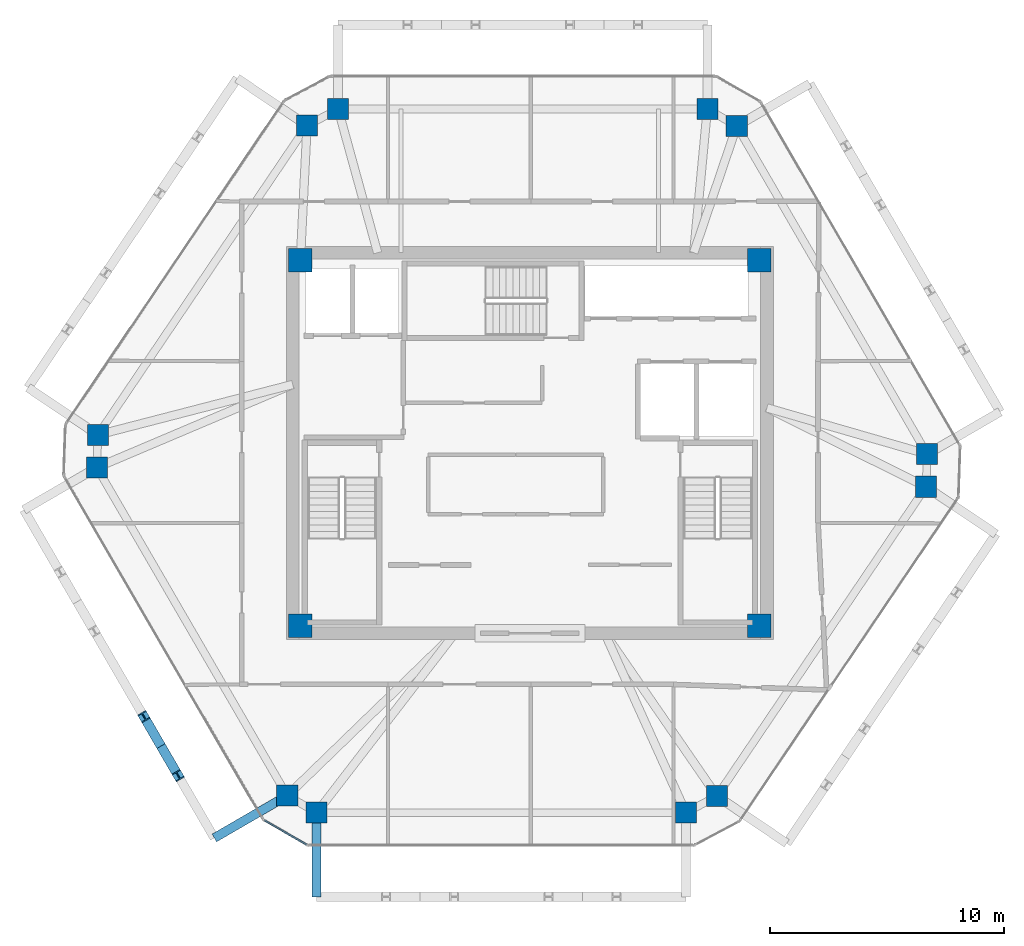
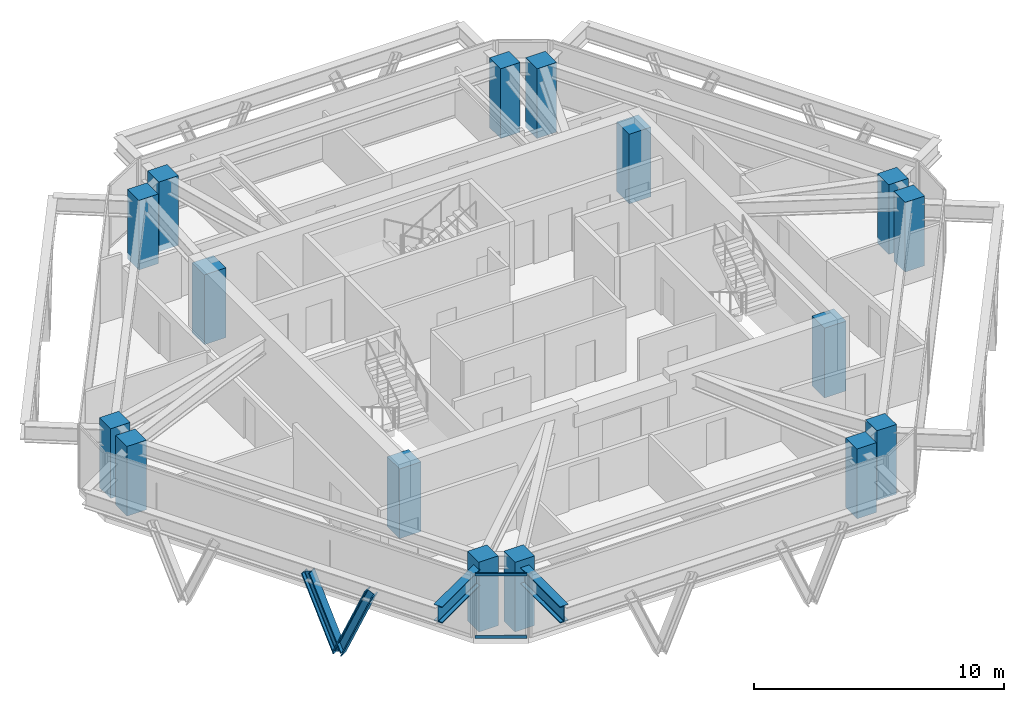
# One storey, part 1 of 11: 16 columns, 4 members, 2 beams, 1 element without a shape of its own.
"""IFC4 building model written with IfcOpenShell, lengths in metres."""

from ifc_helpers import new_model, si_unit, direction, frame, origin, origin_2d, place, context, subcontext, project, spatial, rectangle, i_section, extrude, source, transform, mapped, material, layer, layer_set, material_profile, profile_set, type_object, type_shapes, element, aggregate, save


model = new_model("IFC4")

# Units and contexts
model_context = context("Model", 3, precision=1e-05, world=origin(), true_north=direction((0.0, 1.0)))
body_context = subcontext(model_context, "Body", "Model", "MODEL_VIEW")
ifc_project = project(units=[si_unit("LENGTHUNIT", "METRE"), si_unit("AREAUNIT", "SQUARE_METRE"), si_unit("VOLUMEUNIT", "CUBIC_METRE"), si_unit("PLANEANGLEUNIT", "RADIAN"), si_unit("MASSUNIT", "GRAM", prefix="KILO")], contexts=[model_context])

# Site, building, storey
site_placement = place(None, origin())
site = spatial("IfcSite", under=ifc_project, at=site_placement, CompositionType="ELEMENT")
building_placement = place(site_placement, origin())
building = spatial("IfcBuilding", under=site, at=building_placement, Name="Durnholm Broadcast Tower", CompositionType="ELEMENT")
storey_placement = place(building_placement, frame((0.0, 0.0, 264.89990234375)))
storey = spatial("IfcBuildingStorey", under=building, at=storey_placement, Name="L74", CompositionType="ELEMENT", Elevation=264.89990234375)

# Columns
ifc_material_1 = material(Name="Concrete C70/85", Category="concrete")
ifc_material_profile_1 = material_profile(ifc_material_1, rectangle(XDim=1.0, YDim=1.0, at=origin_2d()), Name="RC1000X1000")
ifc_profile_set_1 = profile_set([ifc_material_profile_1], Name="Concrete C70/85")
column_type_1 = type_object("IfcColumnType", Name="COL-CC-1000", PredefinedType="COLUMN", material=ifc_profile_set_1)
shared_shape_1 = source(origin(), body_context, "Body", "SweptSolid", [
    extrude(rectangle(XDim=1.0, YDim=1.0, at=origin_2d()), origin(), (0.0, 0.0, 1.0), 3.39990234375),
])
type_shapes(column_type_1, [shared_shape_1])
for number, where, z_axis, x_axis, name in (
    (1, (-9.800048828125, -7.800048828125, -0.2998046875), (0.0, 0.0, 1.0), (1.0, 0.0, 0.0), "L74 core corner column 1"),
    (2, (9.800048828125, -7.800048828125, -0.2998046875), (0.0, 0.0, 1.0), (1.0, 0.0, 0.0), "L74 core corner column 2"),
    (3, (9.800048828125, 7.800048828125, -0.2998046875), (0.0, 0.0, 1.0), (1.0, 0.0, 0.0), "L74 core corner column 3"),
    (4, (-9.800048828125, 7.800048828125, -0.2998046875), (0.0, 0.0, 1.0), (1.0, 0.0, 0.0), "L74 core corner column 4"),
):
    element("IfcColumn", number, at=place(storey_placement, frame(where, z_axis=z_axis, x_axis=x_axis)), inside=storey, type_object=column_type_1, Name=name, PredefinedType="COLUMN", context=body_context, shape_type="MappedRepresentation", body=[
        mapped(shared_shape_1, transform((0.0, 0.0, 0.0), x_axis=(1.0, 0.0, 0.0), y_axis=(0.0, 1.0, 0.0), z_axis=(0.0, 0.0, 1.0), scale=1.0)),
    ])
ifc_material_profile_2 = material_profile(ifc_material_1, rectangle(XDim=0.89990234375, YDim=0.89990234375, at=origin_2d()), Name="RC900X900")
ifc_profile_set_2 = profile_set([ifc_material_profile_2], Name="Concrete C70/85")
column_type_2 = type_object("IfcColumnType", Name="COL-CC-900", PredefinedType="COLUMN", material=ifc_profile_set_2)
shared_shape_2 = source(origin(), body_context, "Body", "SweptSolid", [
    extrude(rectangle(XDim=0.89990234375, YDim=0.89990234375, at=origin_2d()), origin(), (0.0, 0.0, 1.0), 3.39990234375),
])
type_shapes(column_type_2, [shared_shape_2])
for number, where, z_axis, x_axis, name in (
    (5, (-10.361328125, -15.061767578125, -0.2998046875), (0.0, 0.0, 1.0), (1.0, 0.0, 0.0), "L74 perimeter hexagonal tube column 01"),
    (6, (-18.494384765625, -1.0478515625, -0.2998046875), (0.0, 0.0, 1.0), (1.0, 0.0, 0.0), "L74 perimeter hexagonal tube column 02"),
    (7, (-18.4462890625, 0.345947265625, -0.2998046875), (0.0, 0.0, 1.0), (1.0, 0.0, 0.0), "L74 perimeter hexagonal tube column 03"),
    (8, (-9.514892578125, 13.557373046875, -0.2998046875), (0.0, 0.0, 1.0), (1.0, 0.0, 0.0), "L74 perimeter hexagonal tube column 04"),
    (9, (-8.187744140625, 14.261962890625, -0.2998046875), (0.0, 0.0, 1.0), (1.0, 0.0, 0.0), "L74 perimeter hexagonal tube column 05"),
    (10, (7.57958984375, 14.261962890625, -0.2998046875), (0.0, 0.0, 1.0), (1.0, 0.0, 0.0), "L74 perimeter hexagonal tube column 06"),
    (11, (8.83740234375, 13.53759765625, -0.2998046875), (0.0, 0.0, 1.0), (1.0, 0.0, 0.0), "L74 perimeter hexagonal tube column 07"),
    (12, (16.97021484375, -0.47607421875, -0.2998046875), (0.0, 0.0, 1.0), (1.0, 0.0, 0.0), "L74 perimeter hexagonal tube column 08"),
    (13, (16.92236328125, -1.869873046875, -0.2998046875), (0.0, 0.0, 1.0), (1.0, 0.0, 0.0), "L74 perimeter hexagonal tube column 09"),
    (14, (7.990966796875, -15.081298828125, -0.2998046875), (0.0, 0.0, 1.0), (1.0, 0.0, 0.0), "L74 perimeter hexagonal tube column 10"),
    (15, (6.663818359375, -15.785888671875, -0.2998046875), (0.0, 0.0, 1.0), (1.0, 0.0, 0.0), "L74 perimeter hexagonal tube column 11"),
    (16, (-9.103759765625, -15.785888671875, -0.2998046875), (0.0, 0.0, 1.0), (1.0, 0.0, 0.0), "L74 perimeter hexagonal tube column 12"),
):
    element("IfcColumn", number, at=place(storey_placement, frame(where, z_axis=z_axis, x_axis=x_axis)), inside=storey, type_object=column_type_2, Name=name, PredefinedType="COLUMN", context=body_context, shape_type="MappedRepresentation", body=[
        mapped(shared_shape_2, transform((0.0, 0.0, 0.0), x_axis=(1.0, 0.0, 0.0), y_axis=(0.0, 1.0, 0.0), z_axis=(0.0, 0.0, 1.0), scale=1.0)),
    ])

# Beams
ifc_material_2 = material(Name="Steel ASTM A992 Grade 50", Category="steel")
ifc_material_profile_3 = material_profile(ifc_material_2, i_section(OverallWidth=0.385009765625, OverallDepth=0.802978515625, WebThickness=0.023681640625, FlangeThickness=0.0419921875, FilletRadius=0.032958984375, at=origin_2d()), Name="W30X261")
ifc_profile_set_3 = profile_set([ifc_material_profile_3], Name="Steel ASTM A992 Grade 50")
beam_type = type_object("IfcBeamType", Name="BM-EXO-TIE", PredefinedType="USERDEFINED", material=ifc_profile_set_3)
shared_shape_3 = source(origin(), body_context, "Body", "SweptSolid", [
    extrude(i_section(OverallWidth=0.385009765625, OverallDepth=0.802978515625, WebThickness=0.023681640625, FlangeThickness=0.0419921875, FilletRadius=0.032958984375, at=origin_2d()), origin(), (0.0, 0.0, 1.0), 3.4560546875),
])
type_shapes(beam_type, [shared_shape_3])
for number, where, z_axis, x_axis, name in (
    (17, (-9.103759765625, -15.929931640625, 2.3486328125), (0.0, -1.0, 0.0), (1.0, 0.0, 0.0), "L74 exoskeleton stand-off tie bracket F1.1"),
    (18, (-10.48583984375, -15.134033203125, 2.3486328125), (-0.864924479231, -0.501902027518, 0.0), (0.501902027518, -0.864924479231, 0.0), "L74 exoskeleton stand-off tie bracket F6.2"),
):
    element("IfcBeam", number, at=place(storey_placement, frame(where, z_axis=z_axis, x_axis=x_axis)), inside=storey, type_object=beam_type, Name=name, ObjectType="GIRDER", PredefinedType="USERDEFINED", context=body_context, shape_type="MappedRepresentation", body=[
        mapped(shared_shape_3, transform((0.0, 0.0, 0.0), x_axis=(1.0, 0.0, 0.0), y_axis=(0.0, 1.0, 0.0), z_axis=(0.0, 0.0, 1.0), scale=1.0)),
    ])

# Members
ifc_material_3 = material(Name="Steel ASTM A913 Grade 65", Category="steel")
ifc_material_profile_4 = material_profile(ifc_material_3, i_section(OverallWidth=0.40625, OverallDepth=0.416015625, WebThickness=0.02978515625, FlangeThickness=0.048095703125, FilletRadius=0.030517578125, at=origin_2d()), Name="W14X257")
ifc_profile_set_4 = profile_set([ifc_material_profile_4], Name="Steel ASTM A913 Grade 65")
member_type_1 = type_object("IfcMemberType", Name="STL-DG-W14X257", PredefinedType="BRACE", material=ifc_profile_set_4)
shared_shape_4 = source(origin(), body_context, "Body", "SweptSolid", [
    extrude(i_section(OverallWidth=0.40625, OverallDepth=0.416015625, WebThickness=0.02978515625, FlangeThickness=0.048095703125, FilletRadius=0.030517578125, at=origin_2d()), origin(), (0.0, 0.0, 1.0), 3.69970703125),
])
type_shapes(member_type_1, [shared_shape_4])
for number, where, z_axis, x_axis, name in (
    (19, (-15.752197265625, -12.94482421875, -1.051513671875), (-0.197838495728, 0.340905159749, 0.919044939959), (-0.864906184135, -0.501933554014, 0.0), "L74 stand-off diagrid brace F6.D2.1"),
    (20, (-15.752197265625, -12.94482421875, -1.051513671875), (0.197838495728, -0.340905159749, 0.919044939959), (0.864906184135, 0.501933554014, 0.0), "L74 stand-off diagrid brace F6.D2.2"),
):
    element("IfcMember", number, at=place(storey_placement, frame(where, z_axis=z_axis, x_axis=x_axis)), inside=storey, type_object=member_type_1, Name=name, PredefinedType="BRACE", context=body_context, shape_type="MappedRepresentation", body=[
        mapped(shared_shape_4, transform((0.0, 0.0, 0.0), x_axis=(1.0, 0.0, 0.0), y_axis=(0.0, 1.0, 0.0), z_axis=(0.0, 0.0, 1.0), scale=1.0)),
    ])

# Curtain wall, members
ifc_material_4 = material(Name="Aluminium and Solar Control IGU", Category="aluminium")
ifc_layer = layer(ifc_material_4, 0.1650390625)
ifc_layer_set = layer_set([ifc_layer], Name="Aluminium and Solar Control IGU")
curtain_wall_type = type_object("IfcCurtainWallType", Name="CW-SYS-5", PredefinedType="NOTDEFINED", material=ifc_layer_set)
curtain_wall_placement = place(storey_placement, origin())
curtain_wall = element("IfcCurtainWall", 21, at=curtain_wall_placement, inside=storey, type_object=curtain_wall_type, Name="L74 curtain wall CW-CORNER CW-L74-CRN-11", PredefinedType="NOTDEFINED")
ifc_material_5 = material(Name="Aluminium 6063-T6", Category="aluminium")
ifc_material_profile_5 = material_profile(ifc_material_5, rectangle(XDim=0.06494140625, YDim=0.1298828125, at=origin_2d()), Name="CWT65X130")
ifc_profile_set_5 = profile_set([ifc_material_profile_5], Name="Aluminium 6063-T6")
member_type_2 = type_object("IfcMemberType", Name="CW-SYS-5-TRN", PredefinedType="USERDEFINED", material=ifc_profile_set_5)
shared_shape_5 = source(origin(), body_context, "Body", "SweptSolid", [
    extrude(rectangle(XDim=0.06494140625, YDim=0.1298828125, at=origin_2d()), origin(), (0.0, 0.0, 1.0), 2.06982421875),
])
type_shapes(member_type_2, [shared_shape_5])
member_1_placement = place(storey_placement, frame((-9.534423828125, -17.153564453125, 0.03271484375), z_axis=(-0.866576086718, 0.499044973854, 0.0), x_axis=(-0.499044973854, -0.866576086718, 0.0)))
member_1 = element("IfcMember", 22, at=member_1_placement, type_object=member_type_2, Name="CW-CORNER transom 1.1", ObjectType="TRANSOM", PredefinedType="USERDEFINED", context=body_context, shape_type="MappedRepresentation", body=[
    mapped(shared_shape_5, transform((0.0, 0.0, 0.0), x_axis=(1.0, 0.0, 0.0), y_axis=(0.0, 1.0, 0.0), z_axis=(0.0, 0.0, 1.0), scale=1.0)),
])
member_2_placement = place(storey_placement, frame((-9.534423828125, -17.153564453125, 3.067626953125), z_axis=(-0.866576086718, 0.499044973854, 0.0), x_axis=(-0.499044973854, -0.866576086718, 0.0)))
member_2 = element("IfcMember", 23, at=member_2_placement, type_object=member_type_2, Name="CW-CORNER transom 1.2", ObjectType="TRANSOM", PredefinedType="USERDEFINED", context=body_context, shape_type="MappedRepresentation", body=[
    mapped(shared_shape_5, transform((0.0, 0.0, 0.0), x_axis=(1.0, 0.0, 0.0), y_axis=(0.0, 1.0, 0.0), z_axis=(0.0, 0.0, 1.0), scale=1.0)),
])
aggregate(curtain_wall, [member_1, member_2])

save(model, "model.ifc")
